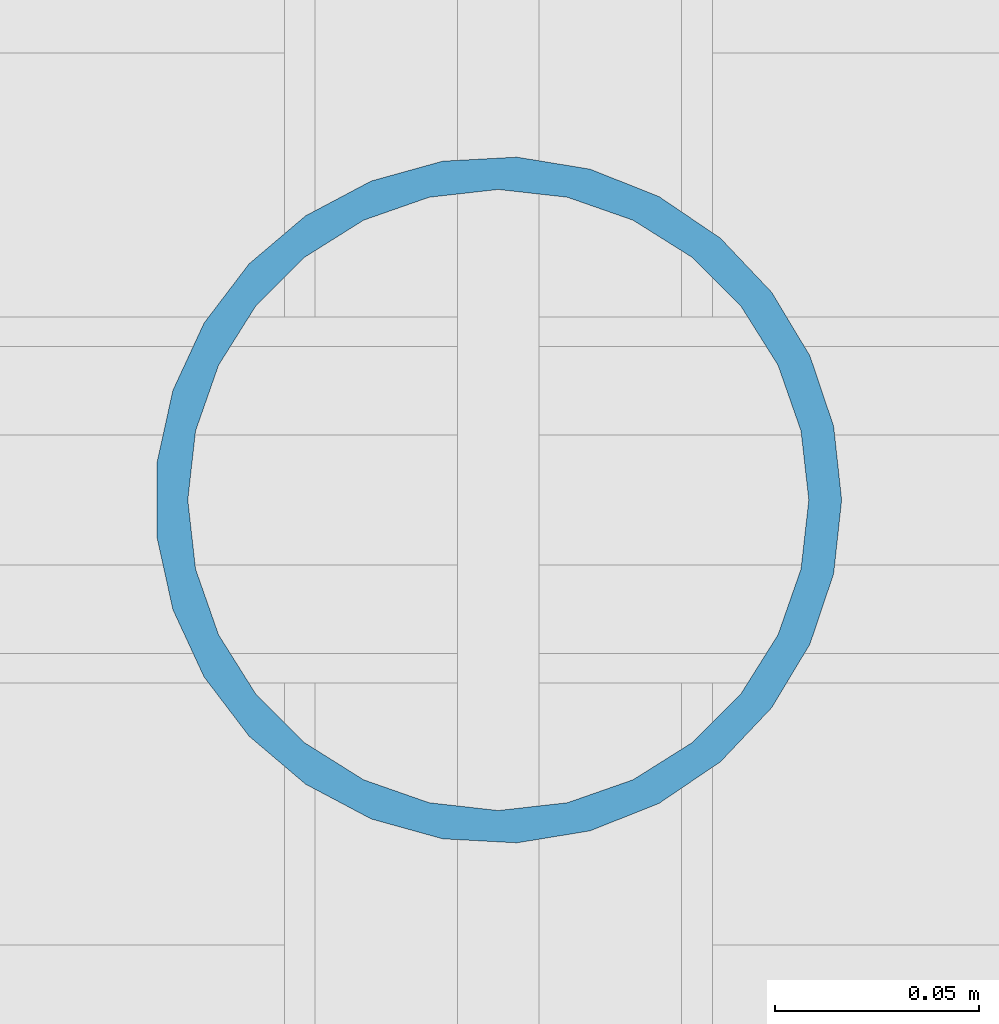
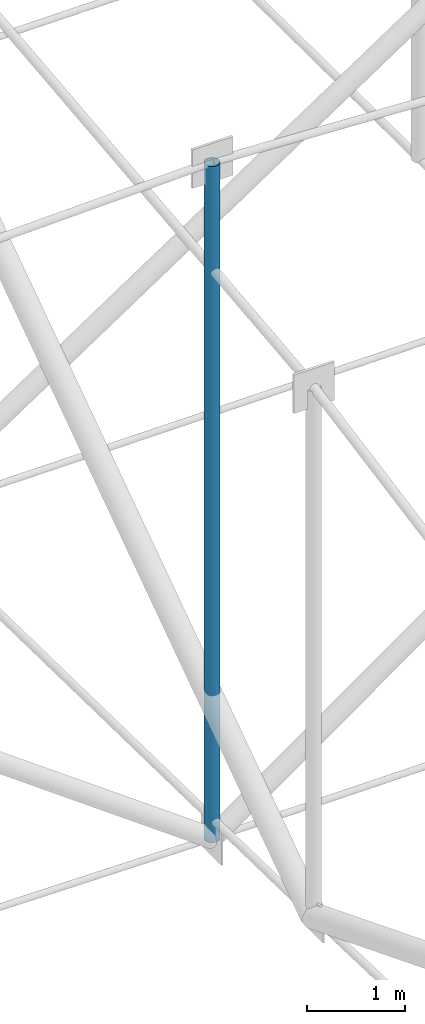
# One storey, part 26 of 173: 1 member.
"""IFC4 building model written with IfcOpenShell, lengths in metres."""

import ifcopenshell
import ifcopenshell.guid

model = None  # the IFC model being written
_history = None  # IfcOwnerHistory: only IFC2X3 demands one
_inside = {}  # id of a spatial element -> (the spatial element, [elements in it])
_under = {}  # id of a project, library or spatial element -> (it, [spatial elements below it])
_declared = {}  # id of a project -> (the project, [libraries it declares])
_typed = {}  # id of a type object -> (the type object, [elements of that type])
_made_of = {}  # id of a material, layer set ... -> (it, [elements and type objects made of it])


def new_model(schema):
    """Start an empty IFC model of exactly this schema.

    Asked for "IFC4X3", IfcOpenShell would pick the latest addendum, in which some entities
    have other attributes; the version numbers below select the first issue.
    IFC2X3 requires an IfcOwnerHistory on every rooted entity: one is made here for all.
    """
    global model, _history
    if schema == "IFC4X3":
        model = ifcopenshell.file(schema_version=(4, 3, 0, 0))
    else:
        model = ifcopenshell.file(schema=schema)
    _inside.clear()
    _under.clear()
    _declared.clear()
    _typed.clear()
    _made_of.clear()
    _history = None
    if model.schema == "IFC2X3":
        org = make("IfcOrganization", Name="unknown")
        user = make(
            "IfcPersonAndOrganization",
            ThePerson=make("IfcPerson", FamilyName="unknown"),
            TheOrganization=org,
        )
        app = make(
            "IfcApplication",
            ApplicationDeveloper=org,
            Version="unknown",
            ApplicationFullName="unknown",
            ApplicationIdentifier="unknown",
        )
        _history = make(
            "IfcOwnerHistory",
            OwningUser=user,
            OwningApplication=app,
            ChangeAction="ADDED",
            CreationDate=0,
        )
    return model


def make(cls, **values):
    """One entity of the class cls with the attributes given. An attribute that is None is left unset."""
    return model.create_entity(
        cls, **{name: value for name, value in values.items() if value is not None}
    )


def rooted(cls, **values):
    """An entity with a GlobalId (a new one), such as an element, a storey or a relation."""
    return make(cls, GlobalId=ifcopenshell.guid.new(), OwnerHistory=_history, **values)


def si_unit(unit_type, name, prefix=None):
    """IfcSIUnit, for example si_unit("LENGTHUNIT", "METRE", prefix="MILLI")."""
    return make("IfcSIUnit", UnitType=unit_type, Prefix=prefix, Name=name)


def assignment(units):
    """IfcUnitAssignment: the units of a project."""
    return None if units is None else make("IfcUnitAssignment", Units=units)


def point(xyz):
    """IfcCartesianPoint."""
    return None if xyz is None else make("IfcCartesianPoint", Coordinates=xyz)


def direction(xyz):
    """IfcDirection."""
    return None if xyz is None else make("IfcDirection", DirectionRatios=xyz)


def frame(location, z_axis=None, x_axis=None):
    """IfcAxis2Placement3D, a coordinate frame: its origin and axes. An axis left out is left unset."""
    return make(
        "IfcAxis2Placement3D",
        Location=point(location),
        Axis=direction(z_axis),
        RefDirection=direction(x_axis),
    )


def frame_2d(location, x_axis=None):
    """IfcAxis2Placement2D, a coordinate frame in the plane: its origin and x axis."""
    return make(
        "IfcAxis2Placement2D", Location=point(location), RefDirection=direction(x_axis)
    )


def origin():
    """The frame at (0, 0, 0) with its axes left unset."""
    return frame((0.0, 0.0, 0.0))


def origin_2d():
    """The frame at (0, 0) in the plane with its x axis left unset."""
    return frame_2d((0.0, 0.0))


def place(relative_to, where):
    """IfcLocalPlacement: puts the frame where relative to a parent placement (None: the world)."""
    return make(
        "IfcLocalPlacement", PlacementRelTo=relative_to, RelativePlacement=where
    )


def context(
    kind, dimensions, precision=None, world=None, true_north=None, identifier=None
):
    """IfcGeometricRepresentationContext, for example the 3D "Model" context."""
    return make(
        "IfcGeometricRepresentationContext",
        ContextIdentifier=identifier,
        ContextType=kind,
        CoordinateSpaceDimension=dimensions,
        Precision=precision,
        WorldCoordinateSystem=world,
        TrueNorth=true_north,
    )


def subcontext(parent, identifier, kind, view, scale=None):
    """IfcGeometricRepresentationSubContext, for example "Body" below "Model"."""
    return make(
        "IfcGeometricRepresentationSubContext",
        ContextIdentifier=identifier,
        ContextType=kind,
        ParentContext=parent,
        TargetScale=scale,
        TargetView=view,
    )


def project(units=None, contexts=None):
    """IfcProject with its units and contexts."""
    return rooted(
        "IfcProject",
        Name="project",
        RepresentationContexts=contexts,
        UnitsInContext=assignment(units),
    )


def spatial(cls, under=None, at=None, **own):
    """A site, building, storey or space (cls), placed at a placement, below another one or the project."""
    s = rooted(cls, ObjectPlacement=at, **own)
    if under is not None:
        _under.setdefault(under.id(), (under, []))[1].append(s)
    return s


def profile(cls, at=None, kind="AREA", **sizes):
    """A parametric profile (cls). Its sizes go by their IFC names, for example OverallWidth=200.0."""
    return make(cls, ProfileType=kind, Position=at, **sizes)


def hollow_circle(**sizes):
    """IfcCircleHollowProfileDef."""
    return profile("IfcCircleHollowProfileDef", **sizes)


def extrude(swept, where, along, depth):
    """IfcExtrudedAreaSolid: the profile swept, set in the frame where, extruded along a direction by depth."""
    return make(
        "IfcExtrudedAreaSolid",
        SweptArea=swept,
        Position=where,
        ExtrudedDirection=direction(along),
        Depth=depth,
    )


def shape(context_of_items, identifier, shape_type, items):
    """IfcShapeRepresentation: the items that make up one representation, for example the "Body"."""
    return make(
        "IfcShapeRepresentation",
        ContextOfItems=context_of_items,
        RepresentationIdentifier=identifier,
        RepresentationType=shape_type,
        Items=items,
    )


def material(Name=None, Category=None):
    """IfcMaterial."""
    return make("IfcMaterial", Name=Name, Category=Category)


def material_profile(
    of_material, cross_section, Name=None, Category=None, Priority=None
):
    """IfcMaterialProfile: a cross section and its material."""
    return make(
        "IfcMaterialProfile",
        Name=Name,
        Material=of_material,
        Profile=cross_section,
        Priority=Priority,
        Category=Category,
    )


def profile_set(profiles, Name=None, composite=None):
    """IfcMaterialProfileSet."""
    return make(
        "IfcMaterialProfileSet",
        Name=Name,
        MaterialProfiles=profiles,
        CompositeProfile=composite,
    )


def made_of(thing, what):
    """Note that an element or type object is made of a material, layer set ...; save() writes the relation."""
    if what is not None:
        _made_of.setdefault(what.id(), (what, []))[1].append(thing)
    return thing


def type_object(cls, material=None, **own):
    """A type object (cls), such as IfcWallType, which elements share."""
    return made_of(rooted(cls, **own), material)


def element(
    cls,
    number,
    at=None,
    inside=None,
    cuts=None,
    type_object=None,
    material=None,
    context=None,
    identifier="Body",
    shape_type=None,
    held_by="IfcProductDefinitionShape",
    body=None,
    shapes=None,
    **own,
):
    """One element of the class cls, such as IfcWall. Its Tag is "e" and its number.

    at: its placement. inside: the storey or other place that contains it. cuts: it is an
    opening in that element (IfcRelVoidsElement). A single representation is given by context,
    identifier, shape_type and body (its items); several are given by shapes. held_by: the class
    of the entity that holds the representations. save() writes the other relations.
    """
    e = rooted(cls, Tag="e%d" % number, ObjectPlacement=at, **own)
    if body is not None:
        shapes = [shape(context, identifier, shape_type, body)]
    if shapes is not None:
        e.Representation = make(held_by, Representations=shapes)
    if inside is not None:
        _inside.setdefault(inside.id(), (inside, []))[1].append(e)
    if cuts is not None:
        rooted(
            "IfcRelVoidsElement", RelatingBuildingElement=cuts, RelatedOpeningElement=e
        )
    if type_object is not None:
        _typed.setdefault(type_object.id(), (type_object, []))[1].append(e)
    return made_of(e, material)


def aggregate(whole, parts):
    """IfcRelAggregates: a whole, such as a stair, and the parts it consists of."""
    return rooted("IfcRelAggregates", RelatingObject=whole, RelatedObjects=parts)


def save(model, path):
    """Write the relations noted so far, then the file.

    IfcRelAggregates (storeys below a building ...), IfcRelContainedInSpatialStructure (elements
    in a storey), IfcRelDefinesByType, IfcRelAssociatesMaterial and IfcRelDeclares: one each for
    every whole, place, type object, material and project.
    """
    for whole, parts in _under.values():
        aggregate(whole, parts)
    for where, things in _inside.values():
        rooted(
            "IfcRelContainedInSpatialStructure",
            RelatedElements=things,
            RelatingStructure=where,
        )
    for kind, things in _typed.values():
        rooted("IfcRelDefinesByType", RelatedObjects=things, RelatingType=kind)
    for what, things in _made_of.values():
        rooted("IfcRelAssociatesMaterial", RelatedObjects=things, RelatingMaterial=what)
    for by, libraries in _declared.values():
        rooted("IfcRelDeclares", RelatingContext=by, RelatedDefinitions=libraries)
    model.write(path)


model = new_model("IFC4")

# Units and contexts
model_context = context("Model", 3, precision=1e-05, world=origin(), true_north=direction((0.0, 1.0)))
body_context = subcontext(model_context, "Body", "Model", "MODEL_VIEW")
ifc_project = project(units=[si_unit("LENGTHUNIT", "METRE"), si_unit("AREAUNIT", "SQUARE_METRE"), si_unit("VOLUMEUNIT", "CUBIC_METRE"), si_unit("PLANEANGLEUNIT", "RADIAN"), si_unit("MASSUNIT", "GRAM", prefix="KILO")], contexts=[model_context])

# Site, building, storey
site_placement = place(None, origin())
site = spatial("IfcSite", under=ifc_project, at=site_placement, CompositionType="ELEMENT")
building_placement = place(site_placement, origin())
building = spatial("IfcBuilding", under=site, at=building_placement, Name="Glasvene Arena", CompositionType="ELEMENT")
storey_placement = place(building_placement, frame((0.0, 0.0, 28.800048828125)))
storey = spatial("IfcBuildingStorey", under=building, at=storey_placement, Name="RF", CompositionType="ELEMENT", Elevation=28.800048828125)

# Member
ifc_material = material(Name="Steel S355J2", Category="steel")
ifc_material_profile = material_profile(ifc_material, hollow_circle(Radius=0.084228515625, WallThickness=0.008056640625, at=origin_2d()), Name="CHS 168.3x8.0")
ifc_profile_set = profile_set([ifc_material_profile], Name="Steel S355J2")
member_type = type_object("IfcMemberType", Name="MB-WEB-CHS168", PredefinedType="BRACE", material=ifc_profile_set)
member_placement = place(storey_placement, frame((92.0, 52.5703125, -2.400146484375), z_axis=(0.0, 0.0, 1.0), x_axis=(1.0, 0.0, 0.0)))
element("IfcMember", 1, at=member_placement, inside=storey, type_object=member_type, Name="Cable-truss vertical strut EW01-04", PredefinedType="BRACE", context=body_context, shape_type="SweptSolid", body=[
    extrude(hollow_circle(Radius=0.084228515625, WallThickness=0.008056640625, at=origin_2d()), origin(), (0.0, 0.0, 1.0), 8.420166015625),
])

save(model, "model.ifc")
